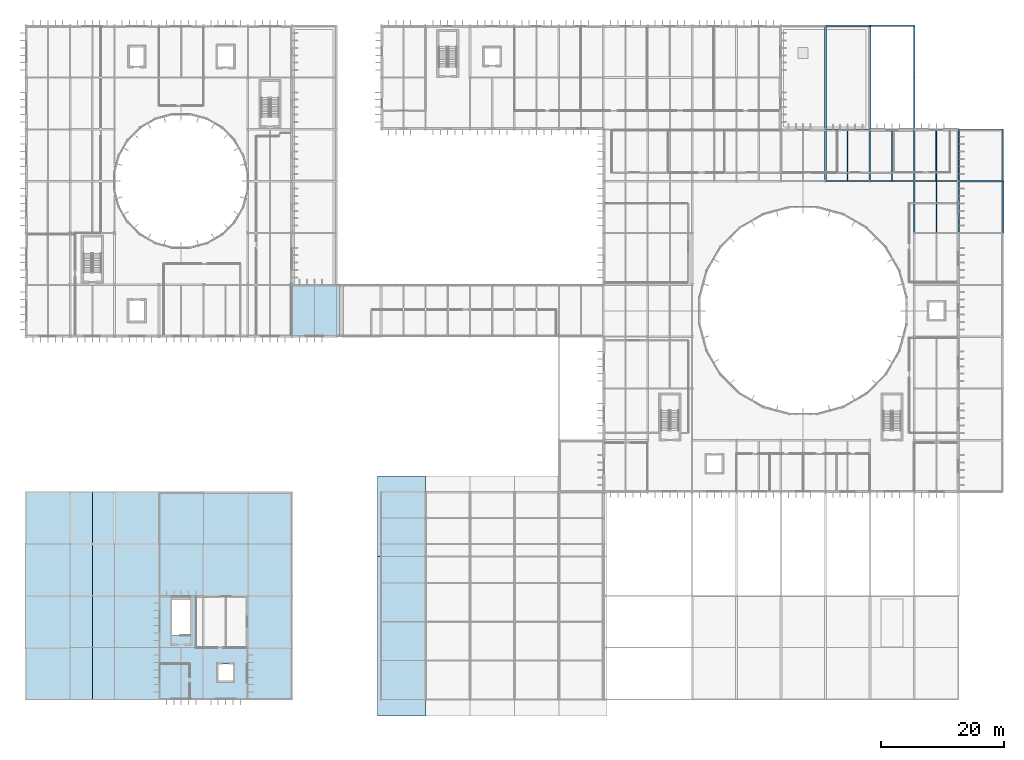
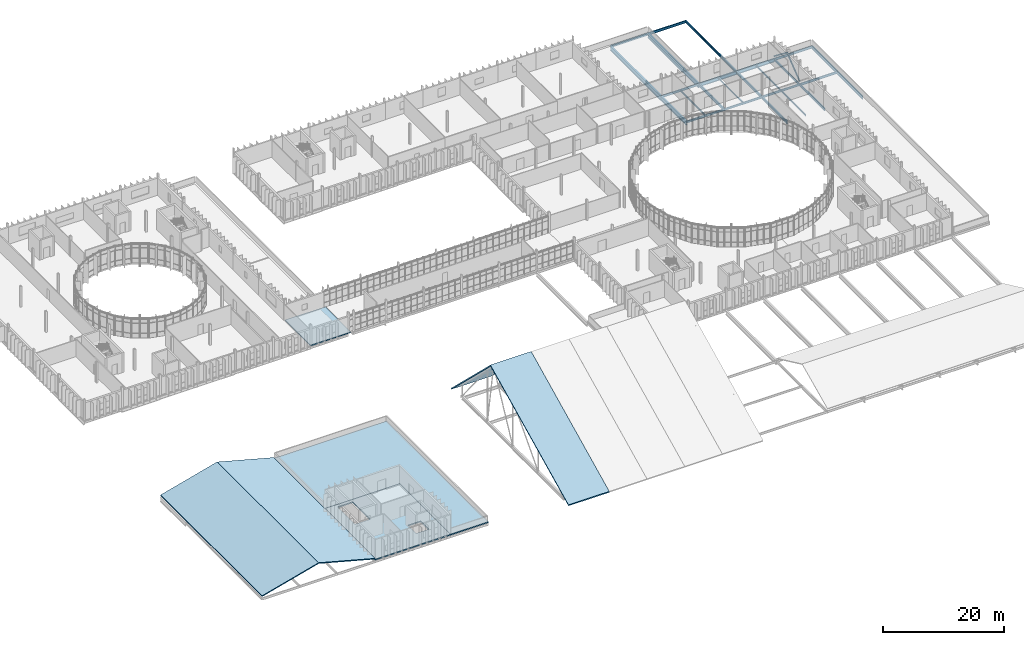
# One storey, part 56 of 99: 26 beams, 7 slabs, 2 members.
"""IFC4 building model written with IfcOpenShell, lengths in metres."""

from ifc_helpers import new_model, si_unit, direction, frame, origin, origin_2d, place, context, subcontext, project, spatial, polyline, hollow_circle, i_section, outline, extrude, material, layer, layer_set, material_profile, profile_set, type_object, element, save


model = new_model("IFC4")

# Units and contexts
model_context = context("Model", 3, precision=1e-05, world=origin(), true_north=direction((0.0, 1.0)))
body_context = subcontext(model_context, "Body", "Model", "MODEL_VIEW")
ifc_project = project(units=[si_unit("LENGTHUNIT", "METRE"), si_unit("AREAUNIT", "SQUARE_METRE"), si_unit("VOLUMEUNIT", "CUBIC_METRE"), si_unit("PLANEANGLEUNIT", "RADIAN"), si_unit("MASSUNIT", "GRAM", prefix="KILO")], contexts=[model_context])

# Site, building, storey
site_placement = place(None, origin())
site = spatial("IfcSite", under=ifc_project, at=site_placement, CompositionType="ELEMENT")
building_placement = place(site_placement, origin())
building = spatial("IfcBuilding", under=site, at=building_placement, Name="Qelthora Terrace Specialist Clinic", CompositionType="ELEMENT")
storey_placement = place(building_placement, frame((0.0, 0.0, 9.0)))
storey = spatial("IfcBuildingStorey", under=building, at=storey_placement, Name="L02", CompositionType="ELEMENT", Elevation=9.0)

# Beams
ifc_material_1 = material(Name="Steel S355", Category="steel")
ifc_material_profile_1 = material_profile(ifc_material_1, i_section(OverallWidth=0.178955078125, OverallDepth=0.409912109375, WebThickness=0.0087890625, FlangeThickness=0.014404296875, FilletRadius=0.011962890625, at=origin_2d()), Name="W410X67")
ifc_profile_set_1 = profile_set([ifc_material_profile_1], Name="Steel S355")
beam_type_1 = type_object("IfcBeamType", Name="BM-W410X67", PredefinedType="BEAM", material=ifc_profile_set_1)
for number, where, z_axis, x_axis, name in (
    (1, (129.60009765625, 84.0, -0.455078125), (1.0, 0.0, 0.0), (0.0, 1.0, 0.0), "Girder BMX-L02-0682"),
    (2, (144.0, 84.0, -0.455078125), (1.0, 0.0, 0.0), (0.0, 1.0, 0.0), "Girder BMX-L02-0684"),
    (3, (129.60009765625, 92.39990234375, -0.455078125), (1.0, 0.0, 0.0), (0.0, 1.0, 0.0), "Girder BMX-L02-0700"),
):
    element("IfcBeam", number, at=place(storey_placement, frame(where, z_axis=z_axis, x_axis=x_axis)), inside=storey, type_object=beam_type_1, Name=name, PredefinedType="BEAM", context=body_context, shape_type="SweptSolid", body=[
        extrude(i_section(OverallWidth=0.178955078125, OverallDepth=0.409912109375, WebThickness=0.0087890625, FlangeThickness=0.014404296875, FilletRadius=0.011962890625, at=origin_2d()), origin(), (0.0, 0.0, 1.0), 7.199951171875),
    ])
ifc_material_profile_2 = material_profile(ifc_material_1, i_section(OverallWidth=0.179931640625, OverallDepth=0.4130859375, WebThickness=0.009765625, FlangeThickness=0.01611328125, FilletRadius=0.011962890625, at=origin_2d()), Name="W410X75")
ifc_profile_set_2 = profile_set([ifc_material_profile_2], Name="Steel S355")
beam_type_2 = type_object("IfcBeamType", Name="BM-W410X75", PredefinedType="BEAM", material=ifc_profile_set_2)
beam_1_placement = place(storey_placement, frame((136.800048828125, 84.0, -0.45654296875), z_axis=(1.0, 0.0, 0.0), x_axis=(0.0, 1.0, 0.0)))
element("IfcBeam", 4, at=beam_1_placement, inside=storey, type_object=beam_type_2, Name="Girder BMX-L02-0683", PredefinedType="BEAM", context=body_context, shape_type="SweptSolid", body=[
    extrude(i_section(OverallWidth=0.179931640625, OverallDepth=0.4130859375, WebThickness=0.009765625, FlangeThickness=0.01611328125, FilletRadius=0.011962890625, at=origin_2d()), origin(), (0.0, 0.0, 1.0), 7.199951171875),
])
ifc_material_profile_3 = material_profile(ifc_material_1, i_section(OverallWidth=0.19091796875, OverallDepth=0.4599609375, WebThickness=0.010009765625, FlangeThickness=0.01611328125, FilletRadius=0.012939453125, at=origin_2d()), Name="W460X82")
ifc_profile_set_3 = profile_set([ifc_material_profile_3], Name="Steel S355")
beam_type_3 = type_object("IfcBeamType", Name="BM-W460X82", PredefinedType="BEAM", material=ifc_profile_set_3)
for number, where, z_axis, x_axis, name in (
    (5, (144.0, 100.800048828125, -0.47998046875), (0.0, 1.0, 0.0), (-1.0, 0.0, 0.0), "Girder BMY-L02-0898"),
    (6, (151.199951171875, 84.0, -0.47998046875), (0.0, 1.0, 0.0), (-1.0, 0.0, 0.0), "Girder BMY-L02-0908"),
):
    element("IfcBeam", number, at=place(storey_placement, frame(where, z_axis=z_axis, x_axis=x_axis)), inside=storey, type_object=beam_type_3, Name=name, PredefinedType="BEAM", context=body_context, shape_type="SweptSolid", body=[
        extrude(i_section(OverallWidth=0.19091796875, OverallDepth=0.4599609375, WebThickness=0.010009765625, FlangeThickness=0.01611328125, FilletRadius=0.012939453125, at=origin_2d()), origin(), (0.0, 0.0, 1.0), 8.39990234375),
    ])
ifc_material_profile_4 = material_profile(ifc_material_1, i_section(OverallWidth=0.193115234375, OverallDepth=0.466064453125, WebThickness=0.011474609375, FlangeThickness=0.01904296875, FilletRadius=0.012939453125, at=origin_2d()), Name="W460X97")
ifc_profile_set_4 = profile_set([ifc_material_profile_4], Name="Steel S355")
beam_type_4 = type_object("IfcBeamType", Name="BM-W460X97", PredefinedType="BEAM", material=ifc_profile_set_4)
beam_2_placement = place(storey_placement, frame((144.0, 92.39990234375, -0.48291015625), z_axis=(0.0, 1.0, 0.0), x_axis=(-1.0, 0.0, 0.0)))
element("IfcBeam", 7, at=beam_2_placement, inside=storey, type_object=beam_type_4, Name="Girder BMY-L02-0897", PredefinedType="BEAM", context=body_context, shape_type="SweptSolid", body=[
    extrude(i_section(OverallWidth=0.193115234375, OverallDepth=0.466064453125, WebThickness=0.011474609375, FlangeThickness=0.01904296875, FilletRadius=0.012939453125, at=origin_2d()), origin(), (0.0, 0.0, 1.0), 8.400146484375),
])
beam_3_placement = place(storey_placement, frame((151.199951171875, 75.60009765625, -0.48291015625), z_axis=(0.0, 1.0, 0.0), x_axis=(-1.0, 0.0, 0.0)))
element("IfcBeam", 8, at=beam_3_placement, inside=storey, type_object=beam_type_4, Name="Girder BMY-L02-0907", PredefinedType="BEAM", context=body_context, shape_type="SweptSolid", body=[
    extrude(i_section(OverallWidth=0.193115234375, OverallDepth=0.466064453125, WebThickness=0.011474609375, FlangeThickness=0.01904296875, FilletRadius=0.012939453125, at=origin_2d()), origin(), (0.0, 0.0, 1.0), 8.39990234375),
])
ifc_material_profile_5 = material_profile(ifc_material_1, i_section(OverallWidth=0.2099609375, OverallDepth=0.537109375, WebThickness=0.010986328125, FlangeThickness=0.017333984375, FilletRadius=0.013916015625, at=origin_2d()), Name="W530X101")
ifc_profile_set_5 = profile_set([ifc_material_profile_5], Name="Steel S355")
beam_type_5 = type_object("IfcBeamType", Name="BM-W530X101", PredefinedType="BEAM", material=ifc_profile_set_5)
for number, where, z_axis, x_axis, name in (
    (9, (136.800048828125, 84.0, -0.5185546875), (0.0, 1.0, 0.0), (-1.0, 0.0, 0.0), "Girder BMY-L02-0886"),
    (10, (144.0, 84.0, -0.5185546875), (0.0, 1.0, 0.0), (-1.0, 0.0, 0.0), "Girder BMY-L02-0896"),
):
    element("IfcBeam", number, at=place(storey_placement, frame(where, z_axis=z_axis, x_axis=x_axis)), inside=storey, type_object=beam_type_5, Name=name, PredefinedType="BEAM", context=body_context, shape_type="SweptSolid", body=[
        extrude(i_section(OverallWidth=0.2099609375, OverallDepth=0.537109375, WebThickness=0.010986328125, FlangeThickness=0.017333984375, FilletRadius=0.013916015625, at=origin_2d()), origin(), (0.0, 0.0, 1.0), 8.39990234375),
    ])
ifc_material_profile_6 = material_profile(ifc_material_1, i_section(OverallWidth=0.2119140625, OverallDepth=0.5439453125, WebThickness=0.01318359375, FlangeThickness=0.021240234375, FilletRadius=0.013916015625, at=origin_2d()), Name="W530X123")
ifc_profile_set_6 = profile_set([ifc_material_profile_6], Name="Steel S355")
beam_type_6 = type_object("IfcBeamType", Name="BM-W530X123", PredefinedType="BEAM", material=ifc_profile_set_6)
for number, where, z_axis, x_axis, name in (
    (11, (144.0, 75.60009765625, -0.52197265625), (0.0, 1.0, 0.0), (-1.0, 0.0, 0.0), "Girder BMY-L02-0895"),
    (12, (158.39990234375, 84.0, -0.52197265625), (0.0, 1.0, 0.0), (-1.0, 0.0, 0.0), "Girder BMY-L02-0915"),
):
    element("IfcBeam", number, at=place(storey_placement, frame(where, z_axis=z_axis, x_axis=x_axis)), inside=storey, type_object=beam_type_6, Name=name, PredefinedType="BEAM", context=body_context, shape_type="SweptSolid", body=[
        extrude(i_section(OverallWidth=0.2119140625, OverallDepth=0.5439453125, WebThickness=0.01318359375, FlangeThickness=0.021240234375, FilletRadius=0.013916015625, at=origin_2d()), origin(), (0.0, 0.0, 1.0), 8.39990234375),
    ])
ifc_material_profile_7 = material_profile(ifc_material_1, i_section(OverallWidth=0.22998046875, OverallDepth=0.616943359375, WebThickness=0.01318359375, FlangeThickness=0.022216796875, FilletRadius=0.01611328125, at=origin_2d()), Name="W610X140")
ifc_profile_set_7 = profile_set([ifc_material_profile_7], Name="Steel S355")
beam_type_7 = type_object("IfcBeamType", Name="BM-W610X140", PredefinedType="BEAM", material=ifc_profile_set_7)
beam_4_placement = place(storey_placement, frame((158.39990234375, 75.60009765625, -0.55859375), z_axis=(0.0, 1.0, 0.0), x_axis=(-1.0, 0.0, 0.0)))
element("IfcBeam", 13, at=beam_4_placement, inside=storey, type_object=beam_type_7, Name="Girder BMY-L02-0914", PredefinedType="BEAM", context=body_context, shape_type="SweptSolid", body=[
    extrude(i_section(OverallWidth=0.22998046875, OverallDepth=0.616943359375, WebThickness=0.01318359375, FlangeThickness=0.022216796875, FilletRadius=0.01611328125, at=origin_2d()), origin(), (0.0, 0.0, 1.0), 8.39990234375),
])
ifc_material_profile_8 = material_profile(ifc_material_1, i_section(OverallWidth=0.25390625, OverallDepth=0.68798828125, WebThickness=0.01318359375, FlangeThickness=0.02099609375, FilletRadius=0.01806640625, at=origin_2d()), Name="W690X152")
ifc_profile_set_8 = profile_set([ifc_material_profile_8], Name="Steel S355")
beam_type_8 = type_object("IfcBeamType", Name="BM-W690X152", PredefinedType="BEAM", material=ifc_profile_set_8)
beam_5_placement = place(storey_placement, frame((144.0, 92.39990234375, -0.593994140625), z_axis=(1.0, 0.0, 0.0), x_axis=(0.0, 1.0, 0.0)))
element("IfcBeam", 14, at=beam_5_placement, inside=storey, type_object=beam_type_8, Name="Girder BMX-L02-0702", PredefinedType="BEAM", context=body_context, shape_type="SweptSolid", body=[
    extrude(i_section(OverallWidth=0.25390625, OverallDepth=0.68798828125, WebThickness=0.01318359375, FlangeThickness=0.02099609375, FilletRadius=0.01806640625, at=origin_2d()), origin(), (0.0, 0.0, 1.0), 7.199951171875),
])
ifc_material_profile_9 = material_profile(ifc_material_1, i_section(OverallWidth=0.256103515625, OverallDepth=0.693115234375, WebThickness=0.014404296875, FlangeThickness=0.023681640625, FilletRadius=0.01806640625, at=origin_2d()), Name="W690X170")
ifc_profile_set_9 = profile_set([ifc_material_profile_9], Name="Steel S355")
beam_type_9 = type_object("IfcBeamType", Name="BM-W690X170", PredefinedType="BEAM", material=ifc_profile_set_9)
beam_6_placement = place(storey_placement, frame((136.800048828125, 92.39990234375, -0.596435546875), z_axis=(1.0, 0.0, 0.0), x_axis=(0.0, 1.0, 0.0)))
element("IfcBeam", 15, at=beam_6_placement, inside=storey, type_object=beam_type_9, Name="Girder BMX-L02-0701", PredefinedType="BEAM", context=body_context, shape_type="SweptSolid", body=[
    extrude(i_section(OverallWidth=0.256103515625, OverallDepth=0.693115234375, WebThickness=0.014404296875, FlangeThickness=0.023681640625, FilletRadius=0.01806640625, at=origin_2d()), origin(), (0.0, 0.0, 1.0), 7.199951171875),
])
ifc_material_profile_10 = material_profile(ifc_material_1, i_section(OverallWidth=0.2939453125, OverallDepth=0.85107421875, WebThickness=0.01611328125, FlangeThickness=0.02685546875, FilletRadius=0.02001953125, at=origin_2d()), Name="W840X226")
ifc_profile_set_10 = profile_set([ifc_material_profile_10], Name="Steel S355")
beam_type_10 = type_object("IfcBeamType", Name="BM-W840X226", PredefinedType="BEAM", material=ifc_profile_set_10)
beam_7_placement = place(storey_placement, frame((129.60009765625, 84.0, -0.675537109375), z_axis=(0.0, 1.0, 0.0), x_axis=(-1.0, 0.0, 0.0)))
element("IfcBeam", 16, at=beam_7_placement, inside=storey, type_object=beam_type_10, Name="Girder BMY-L02-0881", PredefinedType="BEAM", context=body_context, shape_type="SweptSolid", body=[
    extrude(i_section(OverallWidth=0.2939453125, OverallDepth=0.85107421875, WebThickness=0.01611328125, FlangeThickness=0.02685546875, FilletRadius=0.02001953125, at=origin_2d()), origin(), (0.0, 0.0, 1.0), 8.39990234375),
])
ifc_material_profile_11 = material_profile(ifc_material_1, i_section(OverallWidth=0.30810546875, OverallDepth=0.927001953125, WebThickness=0.019287109375, FlangeThickness=0.031982421875, FilletRadius=0.02197265625, at=origin_2d()), Name="W920X289")
ifc_profile_set_11 = profile_set([ifc_material_profile_11], Name="Steel S355")
beam_type_11 = type_object("IfcBeamType", Name="BM-W920X289", PredefinedType="BEAM", material=ifc_profile_set_11)
for number, where, z_axis, x_axis, name in (
    (17, (129.60009765625, 92.39990234375, -0.71337890625), (0.0, 1.0, 0.0), (-1.0, 0.0, 0.0), "Girder BMY-L02-0882"),
    (18, (136.800048828125, 92.39990234375, -0.71337890625), (0.0, 1.0, 0.0), (-1.0, 0.0, 0.0), "Girder BMY-L02-0887"),
):
    element("IfcBeam", number, at=place(storey_placement, frame(where, z_axis=z_axis, x_axis=x_axis)), inside=storey, type_object=beam_type_11, Name=name, PredefinedType="BEAM", context=body_context, shape_type="SweptSolid", body=[
        extrude(i_section(OverallWidth=0.30810546875, OverallDepth=0.927001953125, WebThickness=0.019287109375, FlangeThickness=0.031982421875, FilletRadius=0.02197265625, at=origin_2d()), origin(), (0.0, 0.0, 1.0), 16.800048828125),
    ])
ifc_material_profile_12 = material_profile(ifc_material_1, i_section(OverallWidth=0.14697265625, OverallDepth=0.261962890625, WebThickness=0.006591796875, FlangeThickness=0.01123046875, FilletRadius=0.009033203125, at=origin_2d()), Name="W250X39")
ifc_profile_set_12 = profile_set([ifc_material_profile_12], Name="Steel S355")
beam_type_12 = type_object("IfcBeamType", Name="JST-W250X39", PredefinedType="JOIST", material=ifc_profile_set_12)
beam_8_placement = place(storey_placement, frame((140.39990234375, 84.090087890625, -0.381103515625), z_axis=(0.0, 1.0, 0.0), x_axis=(-1.0, 0.0, 0.0)))
element("IfcBeam", 19, at=beam_8_placement, inside=storey, type_object=beam_type_12, Name="Composite floor joist JST-L02-0209", PredefinedType="JOIST", context=body_context, shape_type="SweptSolid", body=[
    extrude(i_section(OverallWidth=0.14697265625, OverallDepth=0.261962890625, WebThickness=0.006591796875, FlangeThickness=0.01123046875, FilletRadius=0.009033203125, at=origin_2d()), origin(), (0.0, 0.0, 1.0), 8.181884765625),
])
beam_9_placement = place(storey_placement, frame((147.60009765625, 84.089599609375, -0.381103515625), z_axis=(0.0, 1.0, 0.0), x_axis=(-1.0, 0.0, 0.0)))
element("IfcBeam", 20, at=beam_9_placement, inside=storey, type_object=beam_type_12, Name="Composite floor joist JST-L02-0215", PredefinedType="JOIST", context=body_context, shape_type="SweptSolid", body=[
    extrude(i_section(OverallWidth=0.14697265625, OverallDepth=0.261962890625, WebThickness=0.006591796875, FlangeThickness=0.01123046875, FilletRadius=0.009033203125, at=origin_2d()), origin(), (0.0, 0.0, 1.0), 8.183349609375),
])
ifc_material_profile_13 = material_profile(ifc_material_1, i_section(OverallWidth=0.166015625, OverallDepth=0.31298828125, WebThickness=0.006591796875, FlangeThickness=0.01123046875, FilletRadius=0.010009765625, at=origin_2d()), Name="W310X45")
ifc_profile_set_13 = profile_set([ifc_material_profile_13], Name="Steel S355")
beam_type_13 = type_object("IfcBeamType", Name="JST-W310X45", PredefinedType="JOIST", material=ifc_profile_set_13)
beam_10_placement = place(storey_placement, frame((133.199951171875, 84.089599609375, -0.406494140625), z_axis=(0.0, 1.0, 0.0), x_axis=(-1.0, 0.0, 0.0)))
element("IfcBeam", 21, at=beam_10_placement, inside=storey, type_object=beam_type_13, Name="Composite floor joist JST-L02-0208", PredefinedType="JOIST", context=body_context, shape_type="SweptSolid", body=[
    extrude(i_section(OverallWidth=0.166015625, OverallDepth=0.31298828125, WebThickness=0.006591796875, FlangeThickness=0.01123046875, FilletRadius=0.010009765625, at=origin_2d()), origin(), (0.0, 0.0, 1.0), 8.220947265625),
])
beam_11_placement = place(storey_placement, frame((147.60009765625, 75.695556640625, -0.406494140625), z_axis=(0.0, 1.0, 0.0), x_axis=(-1.0, 0.0, 0.0)))
element("IfcBeam", 22, at=beam_11_placement, inside=storey, type_object=beam_type_13, Name="Composite floor joist JST-L02-0214", PredefinedType="JOIST", context=body_context, shape_type="SweptSolid", body=[
    extrude(i_section(OverallWidth=0.166015625, OverallDepth=0.31298828125, WebThickness=0.006591796875, FlangeThickness=0.01123046875, FilletRadius=0.010009765625, at=origin_2d()), origin(), (0.0, 0.0, 1.0), 8.21484375),
])

# Members
ifc_material_profile_14 = material_profile(ifc_material_1, hollow_circle(Radius=0.136474609375, WallThickness=0.011962890625, at=origin_2d()), Name="CHS273X12")
ifc_profile_set_14 = profile_set([ifc_material_profile_14], Name="Steel S355")
member_type = type_object("IfcMemberType", Name="MEM-BRACE-CHS273", PredefinedType="BRACE", material=ifc_profile_set_14)
for number, where, z_axis, x_axis, name in (
    (23, (151.199951171875, 84.0, 0.179931640625), (0.0, 0.789043399971, 0.614337458537), (-1.0, 0.0, 0.0), "Concentric seismic chevron brace B4-L02A"),
    (24, (151.199951171875, 92.39990234375, 0.179931640625), (0.0, -0.789043399971, 0.614337458537), (1.0, 0.0, 0.0), "Concentric seismic chevron brace B4-L02B"),
):
    element("IfcMember", number, at=place(storey_placement, frame(where, z_axis=z_axis, x_axis=x_axis)), inside=storey, type_object=member_type, Name=name, PredefinedType="BRACE", context=body_context, shape_type="SweptSolid", body=[
        extrude(hollow_circle(Radius=0.136474609375, WallThickness=0.011962890625, at=origin_2d()), origin(), (0.0, 0.0, 1.0), 5.32275390625),
    ])

# Beams
ifc_material_profile_15 = material_profile(ifc_material_1, i_section(OverallWidth=0.19091796875, OverallDepth=0.4599609375, WebThickness=0.010009765625, FlangeThickness=0.01611328125, FilletRadius=0.012939453125, at=origin_2d()), Name="W460X82")
ifc_profile_set_15 = profile_set([ifc_material_profile_15], Name="Steel S355")
beam_type_14 = type_object("IfcBeamType", Name="SPD-W460X82", PredefinedType="SPANDREL", material=ifc_profile_set_15)
for number, where, z_axis, x_axis, name in (
    (25, (151.199951171875, 84.0, -0.47998046875), (1.0, 0.0, 0.0), (0.0, 1.0, 0.0), "Girder BMX-L02-0685"),
    (26, (151.199951171875, 92.39990234375, -0.47998046875), (1.0, 0.0, 0.0), (0.0, 1.0, 0.0), "Girder BMX-L02-0703"),
    (27, (129.60009765625, 109.199951171875, -0.47998046875), (1.0, 0.0, 0.0), (0.0, 1.0, 0.0), "Girder BMX-L02-0736"),
    (28, (136.800048828125, 109.199951171875, -0.47998046875), (1.0, 0.0, 0.0), (0.0, 1.0, 0.0), "Girder BMX-L02-0737"),
):
    element("IfcBeam", number, at=place(storey_placement, frame(where, z_axis=z_axis, x_axis=x_axis)), inside=storey, type_object=beam_type_14, Name=name, PredefinedType="SPANDREL", context=body_context, shape_type="SweptSolid", body=[
        extrude(i_section(OverallWidth=0.19091796875, OverallDepth=0.4599609375, WebThickness=0.010009765625, FlangeThickness=0.01611328125, FilletRadius=0.012939453125, at=origin_2d()), origin(), (0.0, 0.0, 1.0), 7.199951171875),
    ])

# Slabs
ifc_material_2 = material(Name="Concrete C30/37", Category="concrete")
ifc_layer_1 = layer(ifc_material_2, 0.219970703125)
ifc_layer_set_1 = layer_set([ifc_layer_1], Name="Concrete C30/37")
slab_type_1 = type_object("IfcSlabType", Name="SLB-FLR-220-C30", PredefinedType="FLOOR", material=ifc_layer_set_1)
slab_1_placement = place(storey_placement, frame((0.0, 0.0, -0.219970703125)))
element("IfcSlab", 29, at=slab_1_placement, inside=storey, type_object=slab_type_1, Name="L02 V7 slab SLB-L02-BRGW", PredefinedType="FLOOR", context=body_context, shape_type="SweptSolid", body=[
    extrude(outline(polyline([(43.199951171875, 67.199951171875), (50.85009765625, 67.199951171875), (50.85009765625, 58.800048828125), (43.199951171875, 58.800048828125), (43.199951171875, 67.199951171875)])), origin(), (0.0, 0.0, 1.0), 0.219970703125),
])
ifc_layer_2 = layer(ifc_material_2, 0.239990234375)
ifc_layer_set_2 = layer_set([ifc_layer_2], Name="Concrete C30/37")
slab_type_2 = type_object("IfcSlabType", Name="SLB-IMG-240-C30", PredefinedType="FLOOR", material=ifc_layer_set_2)
slab_2_placement = place(storey_placement, frame((0.0, 0.0, -0.239990234375)))
element("IfcSlab", 30, at=slab_2_placement, inside=storey, type_object=slab_type_2, Name="L02 V2 slab SLB-L02-V2LOB", PredefinedType="FLOOR", context=body_context, shape_type="SweptSolid", body=[
    extrude(outline(polyline([(21.60009765625, 16.800048828125), (36.0, 16.800048828125), (36.0, 0.0), (21.60009765625, 0.0), (21.60009765625, 16.800048828125)]), holes=[polyline([(33.60009765625, 5.75), (31.199951171875, 5.75), (31.199951171875, 3.050048828125), (33.60009765625, 3.050048828125), (33.60009765625, 5.75)]), polyline([(26.64990234375, 10.400634765625), (26.64990234375, 16.14990234375), (23.75, 16.14990234375), (23.75, 10.400634765625), (26.64990234375, 10.400634765625)])]), origin(), (0.0, 0.0, 1.0), 0.239990234375),
])
ifc_layer_3 = layer(ifc_material_2, 0.235107421875)
ifc_layer_set_3 = layer_set([ifc_layer_3], Name="Concrete C30/37")
slab_type_3 = type_object("IfcSlabType", Name="SLB-ROOF-190-ZINC", PredefinedType="ROOF", material=ifc_layer_set_3)
slab_3_placement = place(storey_placement, frame((57.0, -2.639892578125, -0.0615234375), z_axis=(0.0, -0.438291446593, 0.898832914308), x_axis=(1.0, 0.0, 0.0)))
element("IfcSlab", 31, at=slab_3_placement, inside=storey, type_object=slab_type_3, Name="Hall south standing-seam roof slope 1", PredefinedType="ROOF", context=body_context, shape_type="SweptSolid", body=[
    extrude(outline(polyline([(0.0, 0.0), (7.800048828125, 0.0), (7.800048828125, 28.748217092046783), (0.0, 28.748217092046783), (0.0, 0.0)])), origin(), (0.0, 0.438291446593, 0.898832914308), 0.21142578125),
])
slab_4_placement = place(storey_placement, frame((57.0, 23.199951171875, 12.48583984375), z_axis=(0.0, 0.694871743822, 0.719133686902), x_axis=(1.0, 0.0, 0.0)))
element("IfcSlab", 32, at=slab_4_placement, inside=storey, type_object=slab_type_3, Name="Hall north standing-seam roof slope 1", PredefinedType="ROOF", context=body_context, shape_type="SweptSolid", body=[
    extrude(outline(polyline([(0.0, 0.0), (7.800048828125, 0.0), (7.800048828125, 18.132983199092273), (0.0, 18.132983199092273), (0.0, 0.0)])), origin(), (0.0, -0.694871743822, 0.719133686902), 0.26416015625),
])
slab_5_placement = place(storey_placement, frame((0.0, 0.0, -0.046875), z_axis=(-0.258507947893, 0.0, 0.966009130845), x_axis=(0.966009130845, 0.0, 0.258507947893)))
element("IfcSlab", 33, at=slab_5_placement, inside=storey, type_object=slab_type_3, Name="V2 west folded zinc imaging roof slope 1", PredefinedType="ROOF", context=body_context, shape_type="SweptSolid", body=[
    extrude(outline(polyline([(0.0, 0.0), (11.180069093836192, 0.0), (11.180069093836192, 33.60009765625), (0.0, 33.60009765625), (0.0, 0.0)])), origin(), (0.258507947893, 0.0, 0.966009130845), 0.19677734375),
])
slab_6_placement = place(storey_placement, frame((10.800048828125, 0.0, 2.84326171875), z_axis=(0.258507947893, 0.0, 0.966009130845), x_axis=(0.966009130845, 0.0, -0.258507947893)))
element("IfcSlab", 34, at=slab_6_placement, inside=storey, type_object=slab_type_3, Name="V2 east folded zinc imaging roof slope 2", PredefinedType="ROOF", context=body_context, shape_type="SweptSolid", body=[
    extrude(outline(polyline([(0.0, 0.0), (11.180069093836192, 0.0), (11.180069093836192, 33.60009765625), (0.0, 33.60009765625), (0.0, 0.0)])), origin(), (-0.258507947893, 0.0, 0.966009130845), 0.19677734375),
])
ifc_layer_4 = layer(ifc_material_2, 0.25)
ifc_layer_set_4 = layer_set([ifc_layer_4], Name="Concrete C30/37")
slab_type_4 = type_object("IfcSlabType", Name="SLB-TERR-250-C30", PredefinedType="FLOOR", material=ifc_layer_set_4)
slab_7_placement = place(storey_placement, frame((0.0, 0.0, -0.25)))
element("IfcSlab", 35, at=slab_7_placement, inside=storey, type_object=slab_type_4, Name="L02 V2 slab SLB-L02-GDN", PredefinedType="FLOOR", context=body_context, shape_type="SweptSolid", body=[
    extrude(outline(polyline([(36.0, 0.0), (36.0, 16.800048828125), (21.60009765625, 16.800048828125), (21.60009765625, 33.60009765625), (43.199951171875, 33.60009765625), (43.199951171875, 0.0), (36.0, 0.0)])), origin(), (0.0, 0.0, 1.0), 0.25),
])

save(model, "model.ifc")
